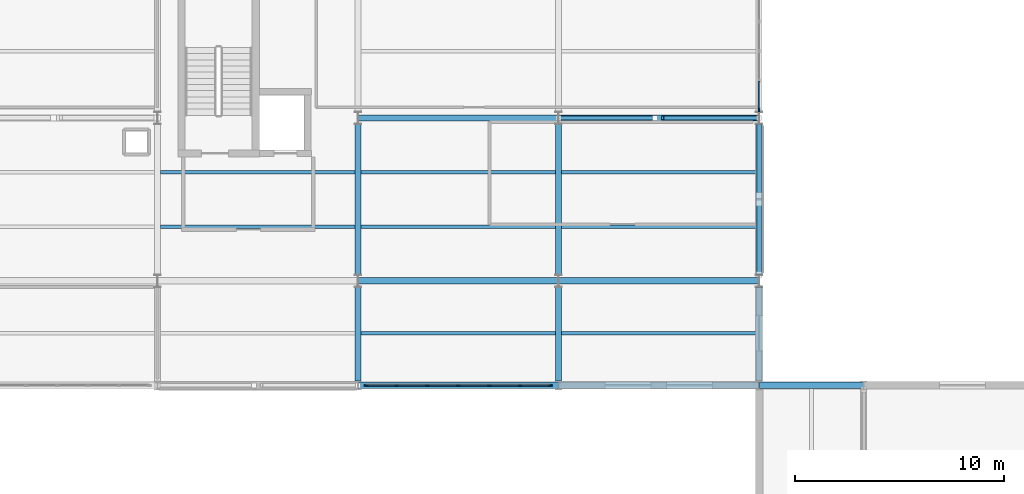
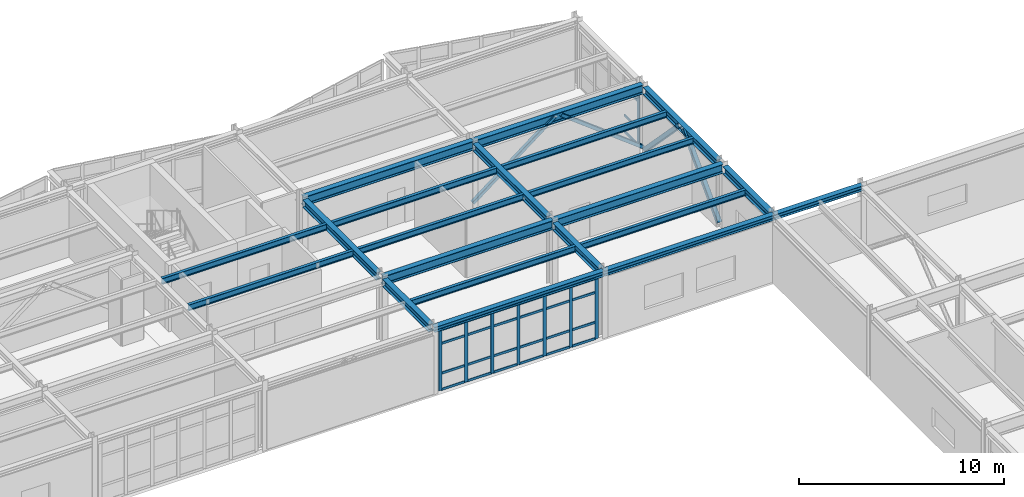
# One storey, part 53 of 99: 39 members, 21 beams, 2 elements without a shape of their own.
"""IFC4 building model written with IfcOpenShell, lengths in metres."""

from ifc_helpers import new_model, si_unit, direction, frame, origin, origin_2d, place, context, subcontext, project, spatial, rectangle, hollow_rectangle, i_section, extrude, material, layer, layer_set, material_profile, profile_set, type_object, element, aggregate, save


model = new_model("IFC4")

# Units and contexts
model_context = context("Model", 3, precision=1e-05, world=origin(), true_north=direction((0.0, 1.0)))
body_context = subcontext(model_context, "Body", "Model", "MODEL_VIEW")
ifc_project = project(units=[si_unit("LENGTHUNIT", "METRE"), si_unit("AREAUNIT", "SQUARE_METRE"), si_unit("VOLUMEUNIT", "CUBIC_METRE"), si_unit("PLANEANGLEUNIT", "RADIAN"), si_unit("MASSUNIT", "GRAM", prefix="KILO")], contexts=[model_context])

# Site, building, storey
site_placement = place(None, origin())
site = spatial("IfcSite", under=ifc_project, at=site_placement, CompositionType="ELEMENT")
building_placement = place(site_placement, origin())
building = spatial("IfcBuilding", under=site, at=building_placement, Name="Nordkorset Police Headquarters", CompositionType="ELEMENT")
storey_placement = place(building_placement, frame((0.0, 0.0, 5.25)))
storey = spatial("IfcBuildingStorey", under=building, at=storey_placement, Name="L01", CompositionType="ELEMENT", Elevation=5.25)

# Beams
ifc_material_1 = material(Name="Steel S355J2", Category="steel")
ifc_material_profile_1 = material_profile(ifc_material_1, i_section(OverallWidth=0.169921875, OverallDepth=0.360107421875, WebThickness=0.008056640625, FlangeThickness=0.0126953125, FilletRadius=0.01806640625, at=origin_2d()), Name="IPE 360")
ifc_profile_set_1 = profile_set([ifc_material_profile_1], Name="Steel S355J2")
beam_type_1 = type_object("IfcBeamType", Name="Beam_IPE_360", PredefinedType="BEAM", material=ifc_profile_set_1)
for number, where, z_axis, x_axis, name in (
    (1, (57.75, 105.199951171875, 3.780029296875), (1.0, 0.0, 0.0), (0.0, 1.0, 0.0), "Composite Floor Beam V2 L01 3-1-1"),
    (2, (57.75, 107.800048828125, 3.780029296875), (1.0, 0.0, 0.0), (0.0, 1.0, 0.0), "Composite Floor Beam V2 L01 3-1-2"),
):
    element("IfcBeam", number, at=place(storey_placement, frame(where, z_axis=z_axis, x_axis=x_axis)), inside=storey, type_object=beam_type_1, Name=name, PredefinedType="BEAM", context=body_context, shape_type="SweptSolid", body=[
        extrude(i_section(OverallWidth=0.169921875, OverallDepth=0.360107421875, WebThickness=0.008056640625, FlangeThickness=0.0126953125, FilletRadius=0.01806640625, at=origin_2d()), origin(), (0.0, 0.0, 1.0), 9.300048828125),
    ])
for number, where, z_axis, x_axis, name in (
    (3, (67.35009765625, 100.10009765625, 3.780029296875), (1.0, 0.0, 0.0), (0.0, 1.0, 0.0), "Composite Floor Beam V2 L01 4-0-1"),
    (4, (67.35009765625, 105.199951171875, 3.780029296875), (1.0, 0.0, 0.0), (0.0, 1.0, 0.0), "Composite Floor Beam V2 L01 4-1-1"),
    (5, (67.35009765625, 107.800048828125, 3.780029296875), (1.0, 0.0, 0.0), (0.0, 1.0, 0.0), "Composite Floor Beam V2 L01 4-1-2"),
):
    element("IfcBeam", number, at=place(storey_placement, frame(where, z_axis=z_axis, x_axis=x_axis)), inside=storey, type_object=beam_type_1, Name=name, PredefinedType="BEAM", context=body_context, shape_type="SweptSolid", body=[
        extrude(i_section(OverallWidth=0.169921875, OverallDepth=0.360107421875, WebThickness=0.008056640625, FlangeThickness=0.0126953125, FilletRadius=0.01806640625, at=origin_2d()), origin(), (0.0, 0.0, 1.0), 9.2998046875),
    ])
for number, where, z_axis, x_axis, name in (
    (6, (76.949951171875, 100.10009765625, 3.780029296875), (1.0, 0.0, 0.0), (0.0, 1.0, 0.0), "Composite Floor Beam V2 L01 5-0-1"),
    (7, (76.949951171875, 105.199951171875, 3.780029296875), (1.0, 0.0, 0.0), (0.0, 1.0, 0.0), "Composite Floor Beam V2 L01 5-1-1"),
    (8, (76.949951171875, 107.800048828125, 3.780029296875), (1.0, 0.0, 0.0), (0.0, 1.0, 0.0), "Composite Floor Beam V2 L01 5-1-2"),
):
    element("IfcBeam", number, at=place(storey_placement, frame(where, z_axis=z_axis, x_axis=x_axis)), inside=storey, type_object=beam_type_1, Name=name, PredefinedType="BEAM", context=body_context, shape_type="SweptSolid", body=[
        extrude(i_section(OverallWidth=0.169921875, OverallDepth=0.360107421875, WebThickness=0.008056640625, FlangeThickness=0.0126953125, FilletRadius=0.01806640625, at=origin_2d()), origin(), (0.0, 0.0, 1.0), 9.300048828125),
    ])

# Members
ifc_material_2 = material(Name="Steel S355J2", Category="steel")
ifc_material_profile_2 = material_profile(ifc_material_2, hollow_rectangle(XDim=0.199951171875, YDim=0.199951171875, WallThickness=0.010009765625, InnerFilletRadius=0.010009765625, OuterFilletRadius=0.02001953125, at=origin_2d()), Name="SHS 200x200x10")
ifc_profile_set_2 = profile_set([ifc_material_profile_2], Name="Steel S355J2")
member_type_1 = type_object("IfcMemberType", Name="Brace_SHS_200x200x10", PredefinedType="BRACE", material=ifc_profile_set_2)
for number, where, z_axis, x_axis, name in (
    (9, (76.8076171875, 110.39990234375, 0.199951171875), (0.793279140182, 0.0, 0.608858116273), (0.0, 1.0, 0.0), "Lateral Chevron Brace BF-V2-B L01 D1"),
    (10, (86.392333984375, 110.39990234375, 0.199951171875), (-0.793279140182, 0.0, 0.608858116273), (0.0, -1.0, 0.0), "Lateral Chevron Brace BF-V2-B L01 D2"),
):
    element("IfcMember", number, at=place(storey_placement, frame(where, z_axis=z_axis, x_axis=x_axis)), inside=storey, type_object=member_type_1, Name=name, PredefinedType="BRACE", context=body_context, shape_type="SweptSolid", body=[
        extrude(hollow_rectangle(XDim=0.199951171875, YDim=0.199951171875, WallThickness=0.010009765625, InnerFilletRadius=0.010009765625, OuterFilletRadius=0.02001953125, at=origin_2d()), origin(), (0.0, 0.0, 1.0), 5.814208984375),
    ])
ifc_material_3 = material(Name="Steel S355J2", Category="steel")
ifc_material_profile_3 = material_profile(ifc_material_3, hollow_rectangle(XDim=0.25, YDim=0.25, WallThickness=0.012451171875, InnerFilletRadius=0.012451171875, OuterFilletRadius=0.02490234375, at=origin_2d()), Name="SHS 250x250x12.5")
ifc_profile_set_3 = profile_set([ifc_material_profile_3], Name="Steel S355J2")
member_type_2 = type_object("IfcMemberType", Name="Brace_SHS_250x250x12.5", PredefinedType="BRACE", material=ifc_profile_set_3)
for number, where, z_axis, x_axis, name in (
    (11, (86.39990234375, 102.89990234375, 0.199951171875), (0.0, 0.694825500105, 0.719178367586), (-1.0, 0.0, 0.0), "Lateral Chevron Brace BF-EXT-V2E L01 D1"),
    (12, (86.39990234375, 110.10009765625, 0.199951171875), (0.0, -0.694825500105, 0.719178367586), (1.0, 0.0, 0.0), "Lateral Chevron Brace BF-EXT-V2E L01 D2"),
):
    element("IfcMember", number, at=place(storey_placement, frame(where, z_axis=z_axis, x_axis=x_axis)), inside=storey, type_object=member_type_2, Name=name, PredefinedType="BRACE", context=body_context, shape_type="SweptSolid", body=[
        extrude(hollow_rectangle(XDim=0.25, YDim=0.25, WallThickness=0.012451171875, InnerFilletRadius=0.012451171875, OuterFilletRadius=0.02490234375, at=origin_2d()), origin(), (0.0, 0.0, 1.0), 4.92236328125),
    ])

# Curtain wall, members
ifc_material_4 = material(Name="Aluminium alloy AW-6060", Category="aluminium")
ifc_layer_1 = layer(ifc_material_4, 0.179931640625, Name="Aluminium alloy AW-6060")
ifc_layer_set_1 = layer_set([ifc_layer_1], Name="Aluminium alloy AW-6060")
curtain_wall_type_1 = type_object("IfcCurtainWallType", Name="CW_Unit_888x363", PredefinedType="USERDEFINED", material=ifc_layer_set_1)
curtain_wall_1_placement = place(storey_placement, origin())
curtain_wall_1 = element("IfcCurtainWall", 13, at=curtain_wall_1_placement, inside=storey, type_object=curtain_wall_type_1, Name="Unitised Curtain Wall L01 V2S-4", ObjectType="UNITISED CURTAIN WALL", PredefinedType="USERDEFINED")
ifc_material_5 = material(Name="Aluminium alloy AW-6060", Category="aluminium")
ifc_material_profile_4 = material_profile(ifc_material_5, rectangle(XDim=0.06494140625, YDim=0.179931640625, at=origin_2d()), Name="ALU MULL 65x180")
ifc_profile_set_4 = profile_set([ifc_material_profile_4], Name="Aluminium alloy AW-6060")
member_type_3 = type_object("IfcMemberType", Name="CW_Mullion_65x180", PredefinedType="MULLION", material=ifc_profile_set_4)
member_1_placement = place(storey_placement, frame((67.592529296875, 97.60009765625, 0.0), z_axis=(0.0, 0.0, 1.0), x_axis=(0.0, 1.0, 0.0)))
member_1 = element("IfcMember", 14, at=member_1_placement, type_object=member_type_3, Name="CW-07 mullion 1", PredefinedType="MULLION", context=body_context, shape_type="SweptSolid", body=[
    extrude(rectangle(XDim=0.06494140625, YDim=0.179931640625, at=origin_2d()), origin(), (0.0, 0.0, 1.0), 3.6298828125),
])
member_2_placement = place(storey_placement, frame((69.0400390625, 97.60009765625, 0.0), z_axis=(0.0, 0.0, 1.0), x_axis=(0.0, 1.0, 0.0)))
member_2 = element("IfcMember", 15, at=member_2_placement, type_object=member_type_3, Name="CW-07 mullion 2", PredefinedType="MULLION", context=body_context, shape_type="SweptSolid", body=[
    extrude(rectangle(XDim=0.06494140625, YDim=0.179931640625, at=origin_2d()), origin(), (0.0, 0.0, 1.0), 3.6298828125),
])
member_3_placement = place(storey_placement, frame((70.52001953125, 97.60009765625, 0.0), z_axis=(0.0, 0.0, 1.0), x_axis=(0.0, 1.0, 0.0)))
member_3 = element("IfcMember", 16, at=member_3_placement, type_object=member_type_3, Name="CW-07 mullion 3", PredefinedType="MULLION", context=body_context, shape_type="SweptSolid", body=[
    extrude(rectangle(XDim=0.06494140625, YDim=0.179931640625, at=origin_2d()), origin(), (0.0, 0.0, 1.0), 3.6298828125),
])
member_4_placement = place(storey_placement, frame((72.0, 97.60009765625, 0.0), z_axis=(0.0, 0.0, 1.0), x_axis=(0.0, 1.0, 0.0)))
member_4 = element("IfcMember", 17, at=member_4_placement, type_object=member_type_3, Name="CW-07 mullion 4", PredefinedType="MULLION", context=body_context, shape_type="SweptSolid", body=[
    extrude(rectangle(XDim=0.06494140625, YDim=0.179931640625, at=origin_2d()), origin(), (0.0, 0.0, 1.0), 3.6298828125),
])
member_5_placement = place(storey_placement, frame((73.47998046875, 97.60009765625, 0.0), z_axis=(0.0, 0.0, 1.0), x_axis=(0.0, 1.0, 0.0)))
member_5 = element("IfcMember", 18, at=member_5_placement, type_object=member_type_3, Name="CW-07 mullion 5", PredefinedType="MULLION", context=body_context, shape_type="SweptSolid", body=[
    extrude(rectangle(XDim=0.06494140625, YDim=0.179931640625, at=origin_2d()), origin(), (0.0, 0.0, 1.0), 3.6298828125),
])
member_6_placement = place(storey_placement, frame((74.9599609375, 97.60009765625, 0.0), z_axis=(0.0, 0.0, 1.0), x_axis=(0.0, 1.0, 0.0)))
member_6 = element("IfcMember", 19, at=member_6_placement, type_object=member_type_3, Name="CW-07 mullion 6", PredefinedType="MULLION", context=body_context, shape_type="SweptSolid", body=[
    extrude(rectangle(XDim=0.06494140625, YDim=0.179931640625, at=origin_2d()), origin(), (0.0, 0.0, 1.0), 3.6298828125),
])
member_7_placement = place(storey_placement, frame((76.407470703125, 97.60009765625, 0.0), z_axis=(0.0, 0.0, 1.0), x_axis=(0.0, 1.0, 0.0)))
member_7 = element("IfcMember", 20, at=member_7_placement, type_object=member_type_3, Name="CW-07 mullion 7", PredefinedType="MULLION", context=body_context, shape_type="SweptSolid", body=[
    extrude(rectangle(XDim=0.06494140625, YDim=0.179931640625, at=origin_2d()), origin(), (0.0, 0.0, 1.0), 3.6298828125),
])

# Curtain wall, member
ifc_material_6 = material(Name="Aluminium alloy AW-6060", Category="aluminium")
ifc_layer_2 = layer(ifc_material_6, 0.179931640625, Name="Aluminium alloy AW-6060")
ifc_layer_set_2 = layer_set([ifc_layer_2], Name="Aluminium alloy AW-6060")
curtain_wall_type_2 = type_object("IfcCurtainWallType", Name="CW_Unit_568x350", PredefinedType="USERDEFINED", material=ifc_layer_set_2)
curtain_wall_2_placement = place(storey_placement, origin())
curtain_wall_2 = element("IfcCurtainWall", 21, at=curtain_wall_2_placement, inside=storey, type_object=curtain_wall_type_2, Name="Unitised Curtain Wall L01 V2E-1", ObjectType="UNITISED CURTAIN WALL", PredefinedType="USERDEFINED")
member_8_placement = place(storey_placement, frame((86.39990234375, 110.79248046875, 0.0), z_axis=(0.0, 0.0, 1.0), x_axis=(-1.0, 0.0, 0.0)))
member_8 = element("IfcMember", 22, at=member_8_placement, type_object=member_type_3, Name="CW-23 mullion 1", PredefinedType="MULLION", context=body_context, shape_type="SweptSolid", body=[
    extrude(rectangle(XDim=0.06494140625, YDim=0.179931640625, at=origin_2d()), origin(), (0.0, 0.0, 1.0), 3.5),
])

# Member
ifc_material_7 = material(Name="Aluminium alloy AW-6060", Category="aluminium")
ifc_material_profile_5 = material_profile(ifc_material_7, rectangle(XDim=0.06494140625, YDim=0.139892578125, at=origin_2d()), Name="ALU TRAN 65x140")
ifc_profile_set_5 = profile_set([ifc_material_profile_5], Name="Aluminium alloy AW-6060")
member_type_4 = type_object("IfcMemberType", Name="CW_Transom_65x140", PredefinedType="USERDEFINED", material=ifc_profile_set_5)
member_9_placement = place(storey_placement, frame((67.625, 97.60009765625, 0.032470703125), z_axis=(1.0, 0.0, 0.0), x_axis=(0.0, 1.0, 0.0)))
member_9 = element("IfcMember", 23, at=member_9_placement, type_object=member_type_4, Name="CW-07 transom 1.1", ObjectType="TRANSOM", PredefinedType="USERDEFINED", context=body_context, shape_type="SweptSolid", body=[
    extrude(rectangle(XDim=0.06494140625, YDim=0.139892578125, at=origin_2d()), origin(), (0.0, 0.0, 1.0), 1.382568359375),
])

member_10_placement = place(storey_placement, frame((67.625, 97.60009765625, 1.0), z_axis=(1.0, 0.0, 0.0), x_axis=(0.0, 1.0, 0.0)))
member_10 = element("IfcMember", 24, at=member_10_placement, type_object=member_type_4, Name="CW-07 transom 1.2", ObjectType="TRANSOM", PredefinedType="USERDEFINED", context=body_context, shape_type="SweptSolid", body=[
    extrude(rectangle(XDim=0.06494140625, YDim=0.139892578125, at=origin_2d()), origin(), (0.0, 0.0, 1.0), 1.382568359375),
])

member_11_placement = place(storey_placement, frame((67.625, 97.60009765625, 2.780029296875), z_axis=(1.0, 0.0, 0.0), x_axis=(0.0, 1.0, 0.0)))
member_11 = element("IfcMember", 25, at=member_11_placement, type_object=member_type_4, Name="CW-07 transom 1.3", ObjectType="TRANSOM", PredefinedType="USERDEFINED", context=body_context, shape_type="SweptSolid", body=[
    extrude(rectangle(XDim=0.06494140625, YDim=0.139892578125, at=origin_2d()), origin(), (0.0, 0.0, 1.0), 1.382568359375),
])

member_12_placement = place(storey_placement, frame((67.625, 97.60009765625, 3.597412109375), z_axis=(1.0, 0.0, 0.0), x_axis=(0.0, 1.0, 0.0)))
member_12 = element("IfcMember", 26, at=member_12_placement, type_object=member_type_4, Name="CW-07 transom 1.4", ObjectType="TRANSOM", PredefinedType="USERDEFINED", context=body_context, shape_type="SweptSolid", body=[
    extrude(rectangle(XDim=0.06494140625, YDim=0.139892578125, at=origin_2d()), origin(), (0.0, 0.0, 1.0), 1.382568359375),
])

member_13_placement = place(storey_placement, frame((69.072509765625, 97.60009765625, 0.032470703125), z_axis=(1.0, 0.0, 0.0), x_axis=(0.0, 1.0, 0.0)))
member_13 = element("IfcMember", 27, at=member_13_placement, type_object=member_type_4, Name="CW-07 transom 2.1", ObjectType="TRANSOM", PredefinedType="USERDEFINED", context=body_context, shape_type="SweptSolid", body=[
    extrude(rectangle(XDim=0.06494140625, YDim=0.139892578125, at=origin_2d()), origin(), (0.0, 0.0, 1.0), 1.4150390625),
])

member_14_placement = place(storey_placement, frame((69.072509765625, 97.60009765625, 1.0), z_axis=(1.0, 0.0, 0.0), x_axis=(0.0, 1.0, 0.0)))
member_14 = element("IfcMember", 28, at=member_14_placement, type_object=member_type_4, Name="CW-07 transom 2.2", ObjectType="TRANSOM", PredefinedType="USERDEFINED", context=body_context, shape_type="SweptSolid", body=[
    extrude(rectangle(XDim=0.06494140625, YDim=0.139892578125, at=origin_2d()), origin(), (0.0, 0.0, 1.0), 1.4150390625),
])

member_15_placement = place(storey_placement, frame((69.072509765625, 97.60009765625, 2.780029296875), z_axis=(1.0, 0.0, 0.0), x_axis=(0.0, 1.0, 0.0)))
member_15 = element("IfcMember", 29, at=member_15_placement, type_object=member_type_4, Name="CW-07 transom 2.3", ObjectType="TRANSOM", PredefinedType="USERDEFINED", context=body_context, shape_type="SweptSolid", body=[
    extrude(rectangle(XDim=0.06494140625, YDim=0.139892578125, at=origin_2d()), origin(), (0.0, 0.0, 1.0), 1.4150390625),
])

member_16_placement = place(storey_placement, frame((69.072509765625, 97.60009765625, 3.597412109375), z_axis=(1.0, 0.0, 0.0), x_axis=(0.0, 1.0, 0.0)))
member_16 = element("IfcMember", 30, at=member_16_placement, type_object=member_type_4, Name="CW-07 transom 2.4", ObjectType="TRANSOM", PredefinedType="USERDEFINED", context=body_context, shape_type="SweptSolid", body=[
    extrude(rectangle(XDim=0.06494140625, YDim=0.139892578125, at=origin_2d()), origin(), (0.0, 0.0, 1.0), 1.4150390625),
])

member_17_placement = place(storey_placement, frame((70.552490234375, 97.60009765625, 0.032470703125), z_axis=(1.0, 0.0, 0.0), x_axis=(0.0, 1.0, 0.0)))
member_17 = element("IfcMember", 31, at=member_17_placement, type_object=member_type_4, Name="CW-07 transom 3.1", ObjectType="TRANSOM", PredefinedType="USERDEFINED", context=body_context, shape_type="SweptSolid", body=[
    extrude(rectangle(XDim=0.06494140625, YDim=0.139892578125, at=origin_2d()), origin(), (0.0, 0.0, 1.0), 1.4150390625),
])

member_18_placement = place(storey_placement, frame((70.552490234375, 97.60009765625, 1.0), z_axis=(1.0, 0.0, 0.0), x_axis=(0.0, 1.0, 0.0)))
member_18 = element("IfcMember", 32, at=member_18_placement, type_object=member_type_4, Name="CW-07 transom 3.2", ObjectType="TRANSOM", PredefinedType="USERDEFINED", context=body_context, shape_type="SweptSolid", body=[
    extrude(rectangle(XDim=0.06494140625, YDim=0.139892578125, at=origin_2d()), origin(), (0.0, 0.0, 1.0), 1.4150390625),
])

member_19_placement = place(storey_placement, frame((70.552490234375, 97.60009765625, 2.780029296875), z_axis=(1.0, 0.0, 0.0), x_axis=(0.0, 1.0, 0.0)))
member_19 = element("IfcMember", 33, at=member_19_placement, type_object=member_type_4, Name="CW-07 transom 3.3", ObjectType="TRANSOM", PredefinedType="USERDEFINED", context=body_context, shape_type="SweptSolid", body=[
    extrude(rectangle(XDim=0.06494140625, YDim=0.139892578125, at=origin_2d()), origin(), (0.0, 0.0, 1.0), 1.4150390625),
])

member_20_placement = place(storey_placement, frame((70.552490234375, 97.60009765625, 3.597412109375), z_axis=(1.0, 0.0, 0.0), x_axis=(0.0, 1.0, 0.0)))
member_20 = element("IfcMember", 34, at=member_20_placement, type_object=member_type_4, Name="CW-07 transom 3.4", ObjectType="TRANSOM", PredefinedType="USERDEFINED", context=body_context, shape_type="SweptSolid", body=[
    extrude(rectangle(XDim=0.06494140625, YDim=0.139892578125, at=origin_2d()), origin(), (0.0, 0.0, 1.0), 1.4150390625),
])

member_21_placement = place(storey_placement, frame((72.032470703125, 97.60009765625, 0.032470703125), z_axis=(1.0, 0.0, 0.0), x_axis=(0.0, 1.0, 0.0)))
member_21 = element("IfcMember", 35, at=member_21_placement, type_object=member_type_4, Name="CW-07 transom 4.1", ObjectType="TRANSOM", PredefinedType="USERDEFINED", context=body_context, shape_type="SweptSolid", body=[
    extrude(rectangle(XDim=0.06494140625, YDim=0.139892578125, at=origin_2d()), origin(), (0.0, 0.0, 1.0), 1.4150390625),
])

member_22_placement = place(storey_placement, frame((72.032470703125, 97.60009765625, 1.0), z_axis=(1.0, 0.0, 0.0), x_axis=(0.0, 1.0, 0.0)))
member_22 = element("IfcMember", 36, at=member_22_placement, type_object=member_type_4, Name="CW-07 transom 4.2", ObjectType="TRANSOM", PredefinedType="USERDEFINED", context=body_context, shape_type="SweptSolid", body=[
    extrude(rectangle(XDim=0.06494140625, YDim=0.139892578125, at=origin_2d()), origin(), (0.0, 0.0, 1.0), 1.4150390625),
])

member_23_placement = place(storey_placement, frame((72.032470703125, 97.60009765625, 2.780029296875), z_axis=(1.0, 0.0, 0.0), x_axis=(0.0, 1.0, 0.0)))
member_23 = element("IfcMember", 37, at=member_23_placement, type_object=member_type_4, Name="CW-07 transom 4.3", ObjectType="TRANSOM", PredefinedType="USERDEFINED", context=body_context, shape_type="SweptSolid", body=[
    extrude(rectangle(XDim=0.06494140625, YDim=0.139892578125, at=origin_2d()), origin(), (0.0, 0.0, 1.0), 1.4150390625),
])

member_24_placement = place(storey_placement, frame((72.032470703125, 97.60009765625, 3.597412109375), z_axis=(1.0, 0.0, 0.0), x_axis=(0.0, 1.0, 0.0)))
member_24 = element("IfcMember", 38, at=member_24_placement, type_object=member_type_4, Name="CW-07 transom 4.4", ObjectType="TRANSOM", PredefinedType="USERDEFINED", context=body_context, shape_type="SweptSolid", body=[
    extrude(rectangle(XDim=0.06494140625, YDim=0.139892578125, at=origin_2d()), origin(), (0.0, 0.0, 1.0), 1.4150390625),
])

member_25_placement = place(storey_placement, frame((73.512451171875, 97.60009765625, 0.032470703125), z_axis=(1.0, 0.0, 0.0), x_axis=(0.0, 1.0, 0.0)))
member_25 = element("IfcMember", 39, at=member_25_placement, type_object=member_type_4, Name="CW-07 transom 5.1", ObjectType="TRANSOM", PredefinedType="USERDEFINED", context=body_context, shape_type="SweptSolid", body=[
    extrude(rectangle(XDim=0.06494140625, YDim=0.139892578125, at=origin_2d()), origin(), (0.0, 0.0, 1.0), 1.4150390625),
])

member_26_placement = place(storey_placement, frame((73.512451171875, 97.60009765625, 1.0), z_axis=(1.0, 0.0, 0.0), x_axis=(0.0, 1.0, 0.0)))
member_26 = element("IfcMember", 40, at=member_26_placement, type_object=member_type_4, Name="CW-07 transom 5.2", ObjectType="TRANSOM", PredefinedType="USERDEFINED", context=body_context, shape_type="SweptSolid", body=[
    extrude(rectangle(XDim=0.06494140625, YDim=0.139892578125, at=origin_2d()), origin(), (0.0, 0.0, 1.0), 1.4150390625),
])

member_27_placement = place(storey_placement, frame((73.512451171875, 97.60009765625, 2.780029296875), z_axis=(1.0, 0.0, 0.0), x_axis=(0.0, 1.0, 0.0)))
member_27 = element("IfcMember", 41, at=member_27_placement, type_object=member_type_4, Name="CW-07 transom 5.3", ObjectType="TRANSOM", PredefinedType="USERDEFINED", context=body_context, shape_type="SweptSolid", body=[
    extrude(rectangle(XDim=0.06494140625, YDim=0.139892578125, at=origin_2d()), origin(), (0.0, 0.0, 1.0), 1.4150390625),
])

member_28_placement = place(storey_placement, frame((73.512451171875, 97.60009765625, 3.597412109375), z_axis=(1.0, 0.0, 0.0), x_axis=(0.0, 1.0, 0.0)))
member_28 = element("IfcMember", 42, at=member_28_placement, type_object=member_type_4, Name="CW-07 transom 5.4", ObjectType="TRANSOM", PredefinedType="USERDEFINED", context=body_context, shape_type="SweptSolid", body=[
    extrude(rectangle(XDim=0.06494140625, YDim=0.139892578125, at=origin_2d()), origin(), (0.0, 0.0, 1.0), 1.4150390625),
])

member_29_placement = place(storey_placement, frame((74.992431640625, 97.60009765625, 0.032470703125), z_axis=(1.0, 0.0, 0.0), x_axis=(0.0, 1.0, 0.0)))
member_29 = element("IfcMember", 43, at=member_29_placement, type_object=member_type_4, Name="CW-07 transom 6.1", ObjectType="TRANSOM", PredefinedType="USERDEFINED", context=body_context, shape_type="SweptSolid", body=[
    extrude(rectangle(XDim=0.06494140625, YDim=0.139892578125, at=origin_2d()), origin(), (0.0, 0.0, 1.0), 1.382568359375),
])

member_30_placement = place(storey_placement, frame((74.992431640625, 97.60009765625, 1.0), z_axis=(1.0, 0.0, 0.0), x_axis=(0.0, 1.0, 0.0)))
member_30 = element("IfcMember", 44, at=member_30_placement, type_object=member_type_4, Name="CW-07 transom 6.2", ObjectType="TRANSOM", PredefinedType="USERDEFINED", context=body_context, shape_type="SweptSolid", body=[
    extrude(rectangle(XDim=0.06494140625, YDim=0.139892578125, at=origin_2d()), origin(), (0.0, 0.0, 1.0), 1.382568359375),
])

member_31_placement = place(storey_placement, frame((74.992431640625, 97.60009765625, 2.780029296875), z_axis=(1.0, 0.0, 0.0), x_axis=(0.0, 1.0, 0.0)))
member_31 = element("IfcMember", 45, at=member_31_placement, type_object=member_type_4, Name="CW-07 transom 6.3", ObjectType="TRANSOM", PredefinedType="USERDEFINED", context=body_context, shape_type="SweptSolid", body=[
    extrude(rectangle(XDim=0.06494140625, YDim=0.139892578125, at=origin_2d()), origin(), (0.0, 0.0, 1.0), 1.382568359375),
])

member_32_placement = place(storey_placement, frame((74.992431640625, 97.60009765625, 3.597412109375), z_axis=(1.0, 0.0, 0.0), x_axis=(0.0, 1.0, 0.0)))
member_32 = element("IfcMember", 46, at=member_32_placement, type_object=member_type_4, Name="CW-07 transom 6.4", ObjectType="TRANSOM", PredefinedType="USERDEFINED", context=body_context, shape_type="SweptSolid", body=[
    extrude(rectangle(XDim=0.06494140625, YDim=0.139892578125, at=origin_2d()), origin(), (0.0, 0.0, 1.0), 1.382568359375),
])

aggregate(curtain_wall_1, [member_1, member_2, member_3, member_4, member_5, member_6, member_7, member_9, member_10, member_11, member_12, member_13, member_14, member_15, member_16, member_17, member_18, member_19, member_20, member_21, member_22, member_23, member_24, member_25, member_26, member_27, member_28, member_29, member_30, member_31, member_32])

member_33_placement = place(storey_placement, frame((86.39990234375, 110.824951171875, 0.032470703125), z_axis=(0.0, 1.0, 0.0), x_axis=(-1.0, 0.0, 0.0)))
member_33 = element("IfcMember", 47, at=member_33_placement, type_object=member_type_4, Name="CW-23 transom 1.1", ObjectType="TRANSOM", PredefinedType="USERDEFINED", context=body_context, shape_type="SweptSolid", body=[
    extrude(rectangle(XDim=0.06494140625, YDim=0.139892578125, at=origin_2d()), origin(), (0.0, 0.0, 1.0), 1.322509765625),
])

member_34_placement = place(storey_placement, frame((86.39990234375, 110.824951171875, 1.0), z_axis=(0.0, 1.0, 0.0), x_axis=(-1.0, 0.0, 0.0)))
member_34 = element("IfcMember", 48, at=member_34_placement, type_object=member_type_4, Name="CW-23 transom 1.2", ObjectType="TRANSOM", PredefinedType="USERDEFINED", context=body_context, shape_type="SweptSolid", body=[
    extrude(rectangle(XDim=0.06494140625, YDim=0.139892578125, at=origin_2d()), origin(), (0.0, 0.0, 1.0), 1.322509765625),
])

member_35_placement = place(storey_placement, frame((86.39990234375, 110.824951171875, 2.64990234375), z_axis=(0.0, 1.0, 0.0), x_axis=(-1.0, 0.0, 0.0)))
member_35 = element("IfcMember", 49, at=member_35_placement, type_object=member_type_4, Name="CW-23 transom 1.3", ObjectType="TRANSOM", PredefinedType="USERDEFINED", context=body_context, shape_type="SweptSolid", body=[
    extrude(rectangle(XDim=0.06494140625, YDim=0.139892578125, at=origin_2d()), origin(), (0.0, 0.0, 1.0), 1.322509765625),
])

aggregate(curtain_wall_2, [member_8, member_33, member_34, member_35])

# Beams
ifc_material_8 = material(Name="Steel S355J2", Category="steel")
ifc_material_profile_6 = material_profile(ifc_material_8, i_section(OverallWidth=0.300048828125, OverallDepth=0.43994140625, WebThickness=0.011474609375, FlangeThickness=0.02099609375, FilletRadius=0.027099609375, at=origin_2d()), Name="HEA 450")
ifc_profile_set_6 = profile_set([ifc_material_profile_6], Name="Steel S355J2")
beam_type_2 = type_object("IfcBeamType", Name="Girder_HEA_450", PredefinedType="USERDEFINED", material=ifc_profile_set_6)
beam_1_placement = place(storey_placement, frame((67.199951171875, 97.800048828125, 3.739990234375), z_axis=(0.0, 1.0, 0.0), x_axis=(-1.0, 0.0, 0.0)))
element("IfcBeam", 50, at=beam_1_placement, inside=storey, type_object=beam_type_2, Name="Girder V2 L01 GY-4-0", ObjectType="GIRDER", PredefinedType="USERDEFINED", context=body_context, shape_type="SweptSolid", body=[
    extrude(i_section(OverallWidth=0.300048828125, OverallDepth=0.43994140625, WebThickness=0.011474609375, FlangeThickness=0.02099609375, FilletRadius=0.027099609375, at=origin_2d()), origin(), (0.0, 0.0, 1.0), 4.5),
])
beam_2_placement = place(storey_placement, frame((67.199951171875, 102.89990234375, 3.739990234375), z_axis=(0.0, 1.0, 0.0), x_axis=(-1.0, 0.0, 0.0)))
element("IfcBeam", 51, at=beam_2_placement, inside=storey, type_object=beam_type_2, Name="Girder V2 L01 GY-4-1", ObjectType="GIRDER", PredefinedType="USERDEFINED", context=body_context, shape_type="SweptSolid", body=[
    extrude(i_section(OverallWidth=0.300048828125, OverallDepth=0.43994140625, WebThickness=0.011474609375, FlangeThickness=0.02099609375, FilletRadius=0.027099609375, at=origin_2d()), origin(), (0.0, 0.0, 1.0), 7.2001953125),
])
beam_3_placement = place(storey_placement, frame((76.800048828125, 97.800048828125, 3.739990234375), z_axis=(0.0, 1.0, 0.0), x_axis=(-1.0, 0.0, 0.0)))
element("IfcBeam", 52, at=beam_3_placement, inside=storey, type_object=beam_type_2, Name="Girder V2 L01 GY-5-0", ObjectType="GIRDER", PredefinedType="USERDEFINED", context=body_context, shape_type="SweptSolid", body=[
    extrude(i_section(OverallWidth=0.300048828125, OverallDepth=0.43994140625, WebThickness=0.011474609375, FlangeThickness=0.02099609375, FilletRadius=0.027099609375, at=origin_2d()), origin(), (0.0, 0.0, 1.0), 4.5),
])
beam_4_placement = place(storey_placement, frame((76.800048828125, 102.89990234375, 3.739990234375), z_axis=(0.0, 1.0, 0.0), x_axis=(-1.0, 0.0, 0.0)))
element("IfcBeam", 53, at=beam_4_placement, inside=storey, type_object=beam_type_2, Name="Girder V2 L01 GY-5-1", ObjectType="GIRDER", PredefinedType="USERDEFINED", context=body_context, shape_type="SweptSolid", body=[
    extrude(i_section(OverallWidth=0.300048828125, OverallDepth=0.43994140625, WebThickness=0.011474609375, FlangeThickness=0.02099609375, FilletRadius=0.027099609375, at=origin_2d()), origin(), (0.0, 0.0, 1.0), 7.2001953125),
])
beam_5_placement = place(storey_placement, frame((86.39990234375, 97.800048828125, 3.739990234375), z_axis=(0.0, 1.0, 0.0), x_axis=(-1.0, 0.0, 0.0)))
element("IfcBeam", 54, at=beam_5_placement, inside=storey, type_object=beam_type_2, Name="Girder V2 L01 GY-6-0", ObjectType="GIRDER", PredefinedType="USERDEFINED", context=body_context, shape_type="SweptSolid", body=[
    extrude(i_section(OverallWidth=0.300048828125, OverallDepth=0.43994140625, WebThickness=0.011474609375, FlangeThickness=0.02099609375, FilletRadius=0.027099609375, at=origin_2d()), origin(), (0.0, 0.0, 1.0), 4.5),
])
beam_6_placement = place(storey_placement, frame((86.39990234375, 102.89990234375, 3.739990234375), z_axis=(0.0, 1.0, 0.0), x_axis=(-1.0, 0.0, 0.0)))
element("IfcBeam", 55, at=beam_6_placement, inside=storey, type_object=beam_type_2, Name="Girder V2 L01 GY-6-1", ObjectType="GIRDER", PredefinedType="USERDEFINED", context=body_context, shape_type="SweptSolid", body=[
    extrude(i_section(OverallWidth=0.300048828125, OverallDepth=0.43994140625, WebThickness=0.011474609375, FlangeThickness=0.02099609375, FilletRadius=0.027099609375, at=origin_2d()), origin(), (0.0, 0.0, 1.0), 7.2001953125),
])
ifc_material_9 = material(Name="Steel S355J2", Category="steel")
ifc_material_profile_7 = material_profile(ifc_material_9, i_section(OverallWidth=0.300048828125, OverallDepth=0.5400390625, WebThickness=0.012451171875, FlangeThickness=0.02392578125, FilletRadius=0.027099609375, at=origin_2d()), Name="HEA 550")
ifc_profile_set_7 = profile_set([ifc_material_profile_7], Name="Steel S355J2")
beam_type_3 = type_object("IfcBeamType", Name="Girder_HEA_550", PredefinedType="USERDEFINED", material=ifc_profile_set_7)
beam_7_placement = place(storey_placement, frame((67.207763671875, 102.60009765625, 3.68994140625), z_axis=(1.0, 0.0, 0.0), x_axis=(0.0, 1.0, 0.0)))
element("IfcBeam", 56, at=beam_7_placement, inside=storey, type_object=beam_type_3, Name="Girder V2 L01 GX-1-4", ObjectType="GIRDER", PredefinedType="USERDEFINED", context=body_context, shape_type="SweptSolid", body=[
    extrude(i_section(OverallWidth=0.300048828125, OverallDepth=0.5400390625, WebThickness=0.012451171875, FlangeThickness=0.02392578125, FilletRadius=0.027099609375, at=origin_2d()), origin(), (0.0, 0.0, 1.0), 9.58447265625),
])
beam_8_placement = place(storey_placement, frame((76.8076171875, 102.60009765625, 3.68994140625), z_axis=(1.0, 0.0, 0.0), x_axis=(0.0, 1.0, 0.0)))
element("IfcBeam", 57, at=beam_8_placement, inside=storey, type_object=beam_type_3, Name="Girder V2 L01 GX-1-5", ObjectType="GIRDER", PredefinedType="USERDEFINED", context=body_context, shape_type="SweptSolid", body=[
    extrude(i_section(OverallWidth=0.300048828125, OverallDepth=0.5400390625, WebThickness=0.012451171875, FlangeThickness=0.02392578125, FilletRadius=0.027099609375, at=origin_2d()), origin(), (0.0, 0.0, 1.0), 9.584716796875),
])
beam_9_placement = place(storey_placement, frame((67.207763671875, 110.39990234375, 3.68994140625), z_axis=(1.0, 0.0, 0.0), x_axis=(0.0, 1.0, 0.0)))
element("IfcBeam", 58, at=beam_9_placement, inside=storey, type_object=beam_type_3, Name="Girder V2 L01 GX-2-4", ObjectType="GIRDER", PredefinedType="USERDEFINED", context=body_context, shape_type="SweptSolid", body=[
    extrude(i_section(OverallWidth=0.300048828125, OverallDepth=0.5400390625, WebThickness=0.012451171875, FlangeThickness=0.02392578125, FilletRadius=0.027099609375, at=origin_2d()), origin(), (0.0, 0.0, 1.0), 9.58447265625),
])
beam_10_placement = place(storey_placement, frame((76.8076171875, 110.39990234375, 3.68994140625), z_axis=(1.0, 0.0, 0.0), x_axis=(0.0, 1.0, 0.0)))
element("IfcBeam", 59, at=beam_10_placement, inside=storey, type_object=beam_type_3, Name="Girder V2 L01 GX-2-5", ObjectType="GIRDER", PredefinedType="USERDEFINED", context=body_context, shape_type="SweptSolid", body=[
    extrude(i_section(OverallWidth=0.300048828125, OverallDepth=0.5400390625, WebThickness=0.012451171875, FlangeThickness=0.02392578125, FilletRadius=0.027099609375, at=origin_2d()), origin(), (0.0, 0.0, 1.0), 9.584716796875),
])
ifc_material_10 = material(Name="Steel S355J2", Category="steel")
ifc_material_profile_8 = material_profile(ifc_material_10, i_section(OverallWidth=0.300048828125, OverallDepth=0.31005859375, WebThickness=0.009033203125, FlangeThickness=0.015380859375, FilletRadius=0.027099609375, at=origin_2d()), Name="HEA 320")
ifc_profile_set_8 = profile_set([ifc_material_profile_8], Name="Steel S355J2")
beam_type_4 = type_object("IfcBeamType", Name="Spandrel_HEA_320", PredefinedType="SPANDREL", material=ifc_profile_set_8)
beam_11_placement = place(storey_placement, frame((67.206787109375, 97.60009765625, 3.804931640625), z_axis=(1.0, 0.0, 0.0), x_axis=(0.0, 1.0, 0.0)))
element("IfcBeam", 60, at=beam_11_placement, inside=storey, type_object=beam_type_4, Name="Girder V2 L01 GX-0-4", PredefinedType="SPANDREL", context=body_context, shape_type="SweptSolid", body=[
    extrude(i_section(OverallWidth=0.300048828125, OverallDepth=0.31005859375, WebThickness=0.009033203125, FlangeThickness=0.015380859375, FilletRadius=0.027099609375, at=origin_2d()), origin(), (0.0, 0.0, 1.0), 9.58642578125),
])
beam_12_placement = place(storey_placement, frame((76.806640625, 97.60009765625, 3.804931640625), z_axis=(1.0, 0.0, 0.0), x_axis=(0.0, 1.0, 0.0)))
element("IfcBeam", 61, at=beam_12_placement, inside=storey, type_object=beam_type_4, Name="Girder V2 L01 GX-0-5", PredefinedType="SPANDREL", context=body_context, shape_type="SweptSolid", body=[
    extrude(i_section(OverallWidth=0.300048828125, OverallDepth=0.31005859375, WebThickness=0.009033203125, FlangeThickness=0.015380859375, FilletRadius=0.027099609375, at=origin_2d()), origin(), (0.0, 0.0, 1.0), 9.586669921875),
])
beam_13_placement = place(storey_placement, frame((86.40673828125, 97.60009765625, 3.804931640625), z_axis=(1.0, 0.0, 0.0), x_axis=(0.0, 1.0, 0.0)))
element("IfcBeam", 62, at=beam_13_placement, inside=storey, type_object=beam_type_4, Name="Girder V5 L01 GX-5-0", PredefinedType="SPANDREL", context=body_context, shape_type="SweptSolid", body=[
    extrude(i_section(OverallWidth=0.300048828125, OverallDepth=0.31005859375, WebThickness=0.009033203125, FlangeThickness=0.015380859375, FilletRadius=0.027099609375, at=origin_2d()), origin(), (0.0, 0.0, 1.0), 4.986572265625),
])

save(model, "model.ifc")
